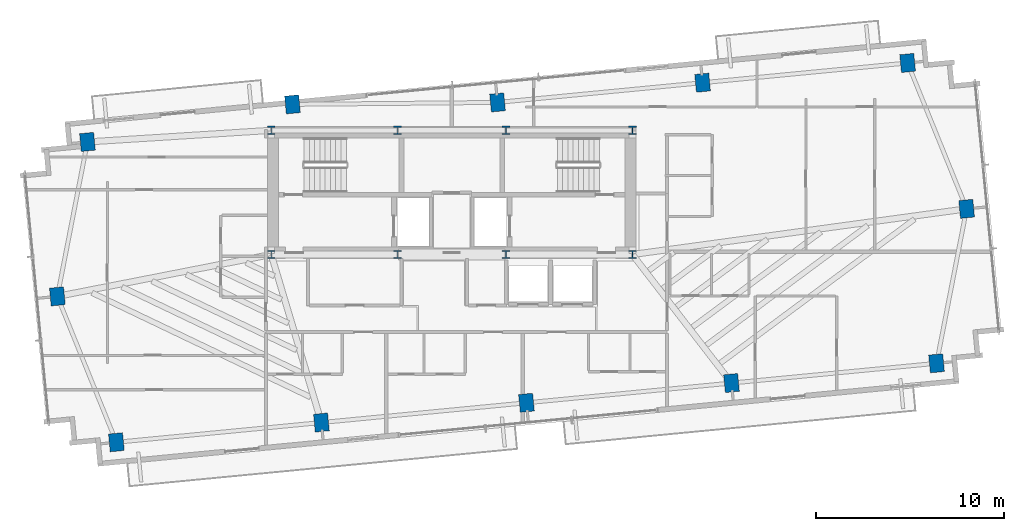
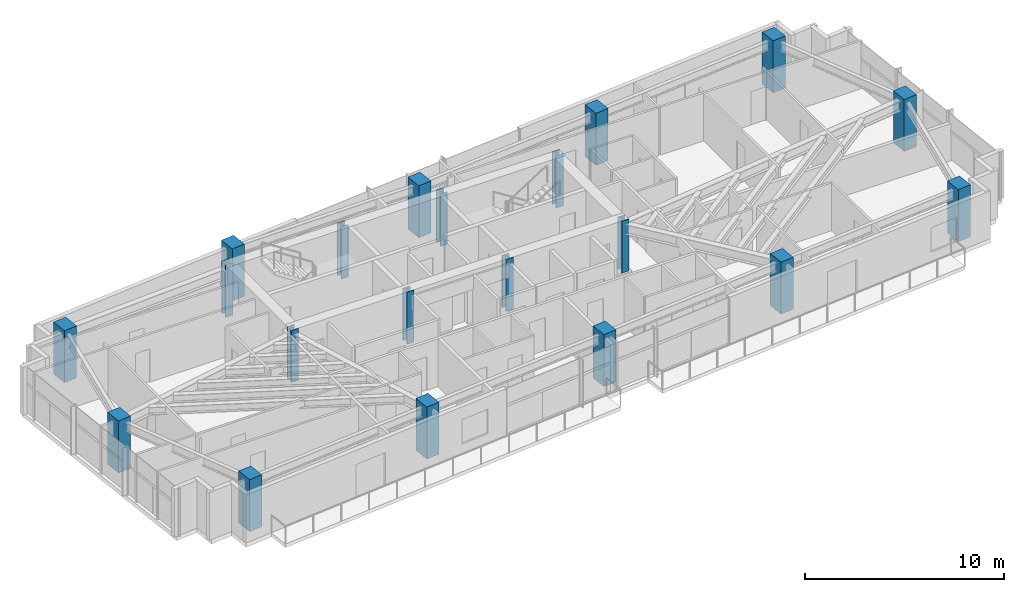
# One storey, part 1 of 18: 20 columns.
"""IFC4 building model written with IfcOpenShell, lengths in metres."""

from ifc_helpers import new_model, si_unit, direction, frame, origin, origin_2d, place, context, subcontext, project, spatial, rectangle, i_section, extrude, source, transform, mapped, material, material_profile, profile_set, type_object, type_shapes, element, save


model = new_model("IFC4")

# Units and contexts
model_context = context("Model", 3, precision=1e-05, world=origin(), true_north=direction((0.0, 1.0)))
body_context = subcontext(model_context, "Body", "Model", "MODEL_VIEW")
ifc_project = project(units=[si_unit("LENGTHUNIT", "METRE"), si_unit("AREAUNIT", "SQUARE_METRE"), si_unit("VOLUMEUNIT", "CUBIC_METRE"), si_unit("PLANEANGLEUNIT", "RADIAN"), si_unit("MASSUNIT", "GRAM", prefix="KILO")], contexts=[model_context])

# Site, building, storey
site_placement = place(None, origin())
site = spatial("IfcSite", under=ifc_project, at=site_placement, CompositionType="ELEMENT")
building_placement = place(site_placement, origin())
building = spatial("IfcBuilding", under=site, at=building_placement, Name="Astriad Promenade Condominiums", CompositionType="ELEMENT")
storey_placement = place(building_placement, frame((0.0, 0.0, 189.0)))
storey = spatial("IfcBuildingStorey", under=building, at=storey_placement, Name="L54", CompositionType="ELEMENT", Elevation=189.0)

# Columns
ifc_material_1 = material(Name="Steel ASTM A992 Grade 50", Category="steel")
ifc_material_profile_1 = material_profile(ifc_material_1, i_section(OverallWidth=0.41552734375, OverallDepth=0.445556640625, WebThickness=0.0390625, FlangeThickness=0.062744140625, FilletRadius=0.017822265625, at=origin_2d()), Name="W14X342")
ifc_profile_set_1 = profile_set([ifc_material_profile_1], Name="Steel ASTM A992 Grade 50")
column_type_1 = type_object("IfcColumnType", Name="STEEL CORE PILASTER W14X342", PredefinedType="PILASTER", material=ifc_profile_set_1)
shared_shape_1 = source(origin(), body_context, "Body", "SweptSolid", [
    extrude(i_section(OverallWidth=0.41552734375, OverallDepth=0.445556640625, WebThickness=0.0390625, FlangeThickness=0.062744140625, FilletRadius=0.017822265625, at=origin_2d()), origin(), (0.0, 0.0, 1.0), 3.196044921875),
])
type_shapes(column_type_1, [shared_shape_1])
for number, where, z_axis, x_axis, name in (
    (1, (26.39990234375, 17.39990234375, 0.001953125), (0.0, 0.0, 1.0), (1.0, 0.0, 0.0), "Core Pilaster Column CP1 (L54)"),
    (2, (33.1201171875, 17.39990234375, 0.001953125), (0.0, 0.0, 1.0), (1.0, 0.0, 0.0), "Core Pilaster Column CP2 (L54)"),
    (3, (38.8798828125, 17.39990234375, 0.001953125), (0.0, 0.0, 1.0), (1.0, 0.0, 0.0), "Core Pilaster Column CP3 (L54)"),
    (4, (45.60009765625, 17.39990234375, 0.001953125), (0.0, 0.0, 1.0), (1.0, 0.0, 0.0), "Core Pilaster Column CP4 (L54)"),
    (5, (26.39990234375, 24.0, 0.001953125), (0.0, 0.0, 1.0), (1.0, 0.0, 0.0), "Core Pilaster Column CP5 (L54)"),
    (6, (33.1201171875, 24.0, 0.001953125), (0.0, 0.0, 1.0), (1.0, 0.0, 0.0), "Core Pilaster Column CP6 (L54)"),
    (7, (38.8798828125, 24.0, 0.001953125), (0.0, 0.0, 1.0), (1.0, 0.0, 0.0), "Core Pilaster Column CP7 (L54)"),
    (8, (45.60009765625, 24.0, 0.001953125), (0.0, 0.0, 1.0), (1.0, 0.0, 0.0), "Core Pilaster Column CP8 (L54)"),
):
    element("IfcColumn", number, at=place(storey_placement, frame(where, z_axis=z_axis, x_axis=x_axis)), inside=storey, type_object=column_type_1, Name=name, PredefinedType="PILASTER", context=body_context, shape_type="MappedRepresentation", body=[
        mapped(shared_shape_1, transform((0.0, 0.0, 0.0), scale=1.0)),
    ])
ifc_material_2 = material(Name="Concrete C50/60", Category="concrete")
ifc_material_profile_2 = material_profile(ifc_material_2, rectangle(XDim=0.75, YDim=0.949951171875, at=origin_2d()), Name="RC-COL-950X750")
ifc_profile_set_2 = profile_set([ifc_material_profile_2], Name="Concrete C50/60")
column_type_2 = type_object("IfcColumnType", Name="CONCRETE TOWER COLUMN 950X750", PredefinedType="COLUMN", material=ifc_profile_set_2)
shared_shape_2 = source(origin(), body_context, "Body", "SweptSolid", [
    extrude(rectangle(XDim=0.75, YDim=0.949951171875, at=origin_2d()), origin(), (0.0, 0.0, 1.0), 3.196044921875),
])
type_shapes(column_type_2, [shared_shape_2])
for number, where, z_axis, x_axis, name in (
    (9, (18.16943359375, 7.41796875, 0.001953125), (0.0, 0.0, 1.0), (0.995396198367, 0.09584575252, 0.0), "Perimeter Column PC01 (L54)"),
    (10, (29.069091796875, 8.46728515625, 0.001953125), (0.0, 0.0, 1.0), (0.995396198367, 0.09584575252, 0.0), "Perimeter Column PC02 (L54)"),
    (11, (39.96875, 9.516845703125, 0.001953125), (0.0, 0.0, 1.0), (0.995396198367, 0.09584575252, 0.0), "Perimeter Column PC03 (L54)"),
    (12, (50.868408203125, 10.56640625, 0.001953125), (0.0, 0.0, 1.0), (0.995396198367, 0.09584575252, 0.0), "Perimeter Column PC04 (L54)"),
    (13, (61.767822265625, 11.615966796875, 0.001953125), (0.0, 0.0, 1.0), (0.995396198367, 0.09584575252, 0.0), "Perimeter Column PC05 (L54)"),
    (14, (16.632080078125, 23.384033203125, 0.001953125), (0.0, 0.0, 1.0), (0.995396198367, 0.09584575252, 0.0), "Perimeter Column PC06 (L54)"),
    (15, (27.53173828125, 25.3798828125, 0.001953125), (0.0, 0.0, 1.0), (0.995396198367, 0.09584575252, 0.0), "Perimeter Column PC07 (L54)"),
    (16, (38.431396484375, 25.483154296875, 0.001953125), (0.0, 0.0, 1.0), (0.995396198367, 0.09584575252, 0.0), "Perimeter Column PC08 (L54)"),
    (17, (49.330810546875, 26.53271484375, 0.001953125), (0.0, 0.0, 1.0), (0.995396198367, 0.09584575252, 0.0), "Perimeter Column PC09 (L54)"),
    (18, (60.23046875, 27.58203125, 0.001953125), (0.0, 0.0, 1.0), (0.995396198367, 0.09584575252, 0.0), "Perimeter Column PC10 (L54)"),
    (19, (15.03173828125, 15.1728515625, 0.001953125), (0.0, 0.0, 1.0), (0.995396198367, 0.09584575252, 0.0), "Perimeter Column PC11 (L54)"),
    (20, (63.3681640625, 19.8271484375, 0.001953125), (0.0, 0.0, 1.0), (0.995396198367, 0.09584575252, 0.0), "Perimeter Column PC12 (L54)"),
):
    element("IfcColumn", number, at=place(storey_placement, frame(where, z_axis=z_axis, x_axis=x_axis)), inside=storey, type_object=column_type_2, Name=name, PredefinedType="COLUMN", context=body_context, shape_type="MappedRepresentation", body=[
        mapped(shared_shape_2, transform((0.0, 0.0, 0.0), scale=1.0)),
    ])

save(model, "model.ifc")
